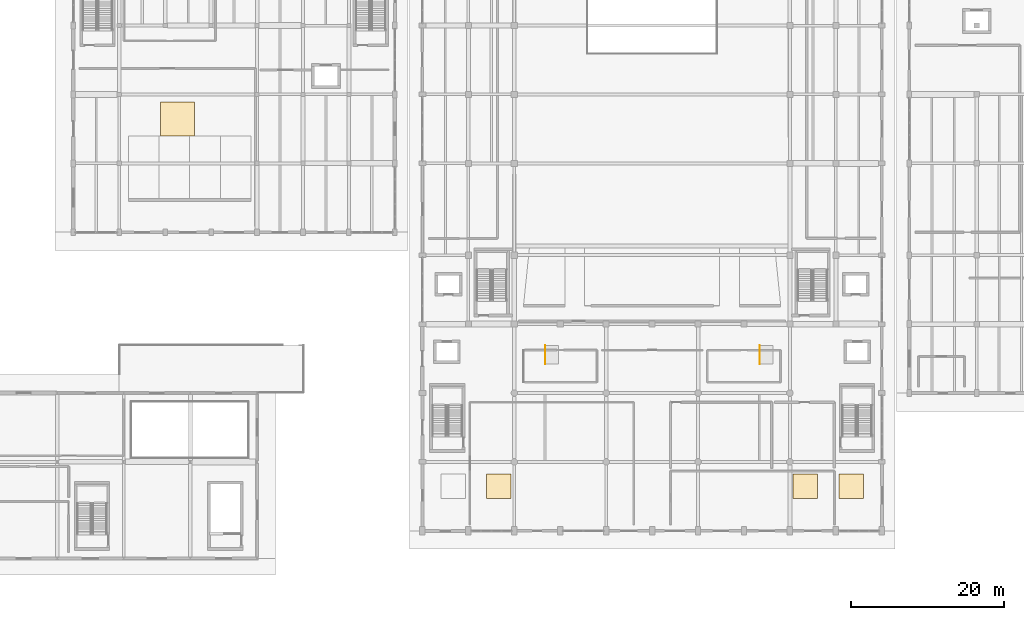
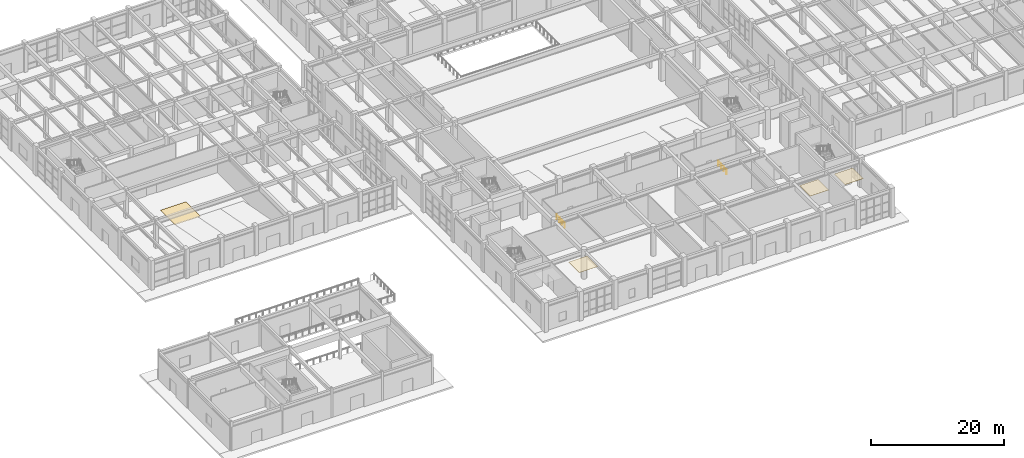
# One storey, part 83 of 91: 4 coverings, 2 railings.
"""IFC4 building model written with IfcOpenShell, lengths in metres."""

from ifc_helpers import new_model, si_unit, direction, frame, origin, origin_2d, place, context, subcontext, project, spatial, polyline, circle, outline, extrude, material, layer, layer_set, type_object, element, save


model = new_model("IFC4")

# Units and contexts
model_context = context("Model", 3, precision=1e-05, world=origin(), true_north=direction((0.0, 1.0)))
body_context = subcontext(model_context, "Body", "Model", "MODEL_VIEW")
ifc_project = project(units=[si_unit("LENGTHUNIT", "METRE"), si_unit("AREAUNIT", "SQUARE_METRE"), si_unit("VOLUMEUNIT", "CUBIC_METRE"), si_unit("PLANEANGLEUNIT", "RADIAN"), si_unit("MASSUNIT", "GRAM", prefix="KILO")], contexts=[model_context])

# Site, building, storey
site_placement = place(None, origin())
site = spatial("IfcSite", under=ifc_project, at=site_placement, CompositionType="ELEMENT")
building_placement = place(site_placement, origin())
building = spatial("IfcBuilding", under=site, at=building_placement, Name="Vaelkrest Opera House", CompositionType="ELEMENT")
storey_placement = place(building_placement, origin())
storey = spatial("IfcBuildingStorey", under=building, at=storey_placement, Name="L00", CompositionType="ELEMENT", Elevation=0.0)

# Coverings
ifc_material_1 = material(Name="American black walnut acoustic timber", Category="wood")
ifc_layer_1 = layer(ifc_material_1, 0.044921875)
ifc_layer_set_1 = layer_set([ifc_layer_1], Name="American black walnut acoustic timber")
covering_type_1 = type_object("IfcCoveringType", Name="COV-CLG01", PredefinedType="CEILING", material=ifc_layer_set_1)
covering_1_placement = place(storey_placement, frame((0.0, 0.0, 5.050048828125)))
element("IfcCovering", 1, at=covering_1_placement, inside=storey, type_object=covering_type_1, Name="Acoustic walnut ceiling reflector 02", PredefinedType="CEILING", context=body_context, shape_type="SweptSolid", body=[
    extrude(outline(polyline([(-21.60009765625, -51.60009765625), (-18.39990234375, -51.60009765625), (-18.39990234375, -48.39990234375), (-21.60009765625, -48.39990234375), (-21.60009765625, -51.60009765625)])), origin(), (0.0, 0.0, 1.0), 0.044921875),
])
covering_2_placement = place(storey_placement, frame((0.0, 0.0, 5.050048828125)))
element("IfcCovering", 2, at=covering_2_placement, inside=storey, type_object=covering_type_1, Name="Acoustic walnut ceiling reflector 03", PredefinedType="CEILING", context=body_context, shape_type="SweptSolid", body=[
    extrude(outline(polyline([(18.39990234375, -51.60009765625), (21.60009765625, -51.60009765625), (21.60009765625, -48.39990234375), (18.39990234375, -48.39990234375), (18.39990234375, -51.60009765625)])), origin(), (0.0, 0.0, 1.0), 0.044921875),
])
covering_3_placement = place(storey_placement, frame((0.0, 0.0, 5.050048828125)))
element("IfcCovering", 3, at=covering_3_placement, inside=storey, type_object=covering_type_1, Name="Acoustic walnut ceiling reflector 04", PredefinedType="CEILING", context=body_context, shape_type="SweptSolid", body=[
    extrude(outline(polyline([(24.39990234375, -51.60009765625), (27.60009765625, -51.60009765625), (27.60009765625, -48.39990234375), (24.39990234375, -48.39990234375), (24.39990234375, -51.60009765625)])), origin(), (0.0, 0.0, 1.0), 0.044921875),
])
ifc_material_2 = material(Name="Douglas fir glulam GL28h", Category="wood")
ifc_layer_2 = layer(ifc_material_2, 0.02490234375)
ifc_layer_set_2 = layer_set([ifc_layer_2], Name="Douglas fir glulam GL28h")
covering_type_2 = type_object("IfcCoveringType", Name="COV-FLR01", PredefinedType="FLOORING", material=ifc_layer_set_2)
covering_4_placement = place(storey_placement, origin())
element("IfcCovering", 4, at=covering_4_placement, inside=storey, type_object=covering_type_2, Name="Sprung Douglas fir stage flooring 05", PredefinedType="FLOORING", context=body_context, shape_type="SweptSolid", body=[
    extrude(outline(polyline([(-64.199951171875, -4.199951171875), (-59.800048828125, -4.199951171875), (-59.800048828125, 0.199951171875), (-64.199951171875, 0.199951171875), (-64.199951171875, -4.199951171875)])), origin(), (0.0, 0.0, 1.0), 0.02490234375),
])

# Railings
ifc_material_3 = material(Name="Dark bronze anodized aluminium", Category="aluminium")
railing_type = type_object("IfcRailingType", Name="HR01", PredefinedType="HANDRAIL", material=ifc_material_3)
for number, where, name in (
    (5, (-13.949951171875, -34.0, 0.0), "Threshold ramp handrail 5"),
    (6, (14.050048828125, -34.0, 0.0), "Threshold ramp handrail 6"),
):
    element("IfcRailing", number, at=place(storey_placement, frame(where)), inside=storey, type_object=railing_type, Name=name, PredefinedType="HANDRAIL", context=body_context, shape_type="SweptSolid", body=[
        extrude(circle(Radius=0.02392578125, at=origin_2d()), frame((0.0, 0.0, 0.8759765625), z_axis=(0.0, 0.999687010872, 0.025017599662), x_axis=(-1.0, 0.0, 0.0)), (0.0, 0.0, 1.0), 2.400634765625),
        extrude(circle(Radius=0.02099609375, at=origin_2d()), origin(), (0.0, 0.0, 1.0), 0.851806640625),
        extrude(circle(Radius=0.02099609375, at=origin_2d()), frame((0.0, 0.800048828125, 0.02001953125)), (0.0, 0.0, 1.0), 0.851806640625),
        extrude(circle(Radius=0.02099609375, at=origin_2d()), frame((0.0, 1.599853515625, 0.0400390625)), (0.0, 0.0, 1.0), 0.851806640625),
        extrude(circle(Radius=0.02099609375, at=origin_2d()), frame((0.0, 2.39990234375, 0.06005859375)), (0.0, 0.0, 1.0), 0.851806640625),
    ])

save(model, "model.ifc")
